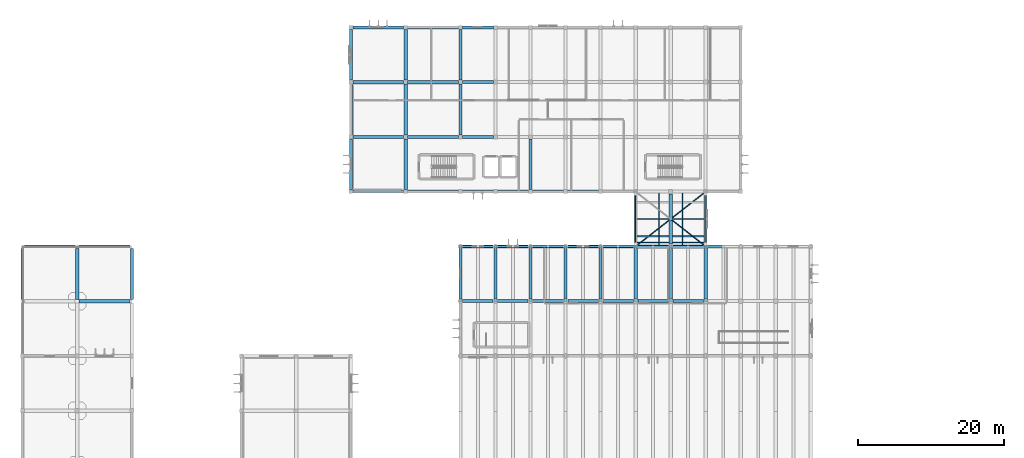
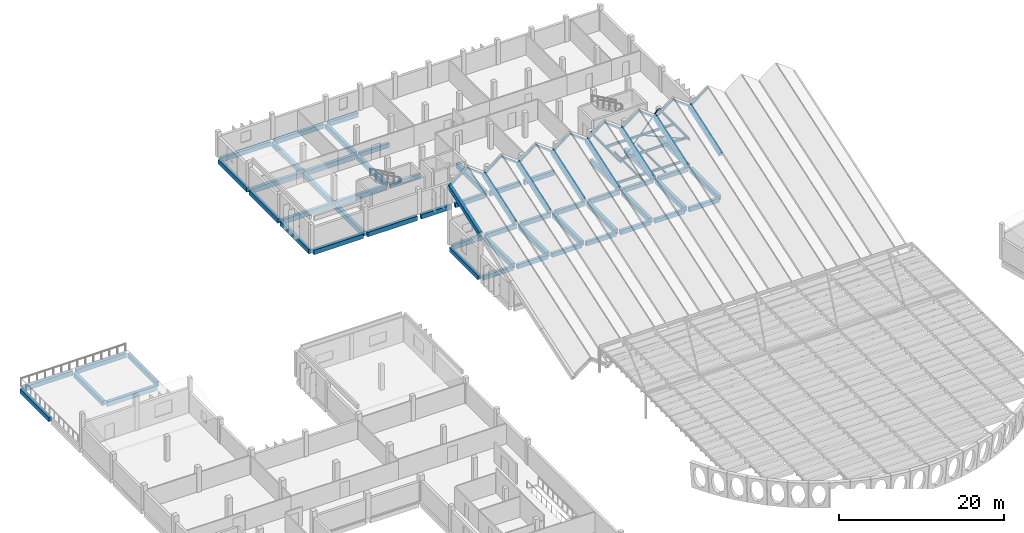
# One storey, part 17 of 47: 70 beams, 17 members.
"""IFC4 building model written with IfcOpenShell, lengths in metres."""

from ifc_helpers import new_model, si_unit, direction, frame, origin, origin_2d, place, context, subcontext, project, spatial, rectangle, hollow_rectangle, hollow_circle, i_section, extrude, material, material_profile, profile_set, type_object, element, save


model = new_model("IFC4")

# Units and contexts
model_context = context("Model", 3, precision=1e-05, world=origin(), true_north=direction((0.0, 1.0)))
body_context = subcontext(model_context, "Body", "Model", "MODEL_VIEW")
ifc_project = project(units=[si_unit("LENGTHUNIT", "METRE"), si_unit("AREAUNIT", "SQUARE_METRE"), si_unit("VOLUMEUNIT", "CUBIC_METRE"), si_unit("PLANEANGLEUNIT", "RADIAN"), si_unit("MASSUNIT", "GRAM", prefix="KILO")], contexts=[model_context])

# Site, building, storey
site_placement = place(None, origin())
site = spatial("IfcSite", under=ifc_project, at=site_placement, CompositionType="ELEMENT")
building_placement = place(site_placement, origin())
building = spatial("IfcBuilding", under=site, at=building_placement, Name="Mawjan Specialist Oncology Clinic", CompositionType="ELEMENT")
storey_placement = place(building_placement, frame((0.0, 0.0, 9.5)))
storey = spatial("IfcBuildingStorey", under=building, at=storey_placement, Name="L02", CompositionType="ELEMENT", Elevation=9.5)

# Beams
ifc_material_1 = material(Name="Concrete C40/50", Category="concrete")
ifc_material_profile_1 = material_profile(ifc_material_1, rectangle(XDim=0.39990234375, YDim=0.60009765625, at=origin_2d()), Name="RC BM 400x600", Category="concrete")
ifc_profile_set_1 = profile_set([ifc_material_profile_1], Name="Concrete C40/50")
beam_type_1 = type_object("IfcBeamType", Name="BM-400x600", PredefinedType="BEAM", material=ifc_profile_set_1)
for number, where, z_axis, x_axis, name in (
    (1, (60.31005859375, 68.300048828125, -0.60009765625), (1.0, 0.0, 0.0), (0.0, 1.0, 0.0), "L02 Collector Beam BM-L02-0687"),
    (2, (65.110107421875, 68.300048828125, -0.60009765625), (1.0, 0.0, 0.0), (0.0, 1.0, 0.0), "L02 Collector Beam BM-L02-0688"),
):
    element("IfcBeam", number, at=place(storey_placement, frame(where, z_axis=z_axis, x_axis=x_axis)), inside=storey, type_object=beam_type_1, Name=name, PredefinedType="BEAM", context=body_context, shape_type="SweptSolid", body=[
        extrude(rectangle(XDim=0.39990234375, YDim=0.60009765625, at=origin_2d()), origin(), (0.0, 0.0, 1.0), 4.179931640625),
    ])
beam_1_placement = place(storey_placement, frame((69.909912109375, 68.300048828125, -0.60009765625), z_axis=(1.0, 0.0, 0.0), x_axis=(0.0, 1.0, 0.0)))
element("IfcBeam", 3, at=beam_1_placement, inside=storey, type_object=beam_type_1, Name="L02 Collector Beam BM-L02-0689", PredefinedType="BEAM", context=body_context, shape_type="SweptSolid", body=[
    extrude(rectangle(XDim=0.39990234375, YDim=0.60009765625, at=origin_2d()), origin(), (0.0, 0.0, 1.0), 4.18017578125),
])
for number, where, z_axis, x_axis, name in (
    (4, (74.7099609375, 68.300048828125, -0.60009765625), (1.0, 0.0, 0.0), (0.0, 1.0, 0.0), "L02 Collector Beam BM-L02-0690"),
    (5, (79.510009765625, 68.300048828125, -0.60009765625), (1.0, 0.0, 0.0), (0.0, 1.0, 0.0), "L02 Collector Beam BM-L02-0691"),
    (6, (84.31005859375, 68.300048828125, -0.60009765625), (1.0, 0.0, 0.0), (0.0, 1.0, 0.0), "L02 Collector Beam BM-L02-0692"),
    (7, (89.110107421875, 68.300048828125, -0.60009765625), (1.0, 0.0, 0.0), (0.0, 1.0, 0.0), "L02 Collector Beam BM-L02-0693"),
    (8, (84.31005859375, 75.800048828125, -0.60009765625), (1.0, 0.0, 0.0), (0.0, 1.0, 0.0), "L02 Collector Beam BM-L02-0704"),
    (9, (89.110107421875, 75.800048828125, -0.60009765625), (1.0, 0.0, 0.0), (0.0, 1.0, 0.0), "L02 Collector Beam BM-L02-0705"),
):
    element("IfcBeam", number, at=place(storey_placement, frame(where, z_axis=z_axis, x_axis=x_axis)), inside=storey, type_object=beam_type_1, Name=name, PredefinedType="BEAM", context=body_context, shape_type="SweptSolid", body=[
        extrude(rectangle(XDim=0.39990234375, YDim=0.60009765625, at=origin_2d()), origin(), (0.0, 0.0, 1.0), 4.179931640625),
    ])
for number, where, z_axis, x_axis, name in (
    (10, (60.284912109375, 90.800048828125, -0.60009765625), (1.0, 0.0, 0.0), (0.0, 1.0, 0.0), "L02 Collector Beam BM-L02-0721"),
    (11, (60.284912109375, 98.300048828125, -0.60009765625), (1.0, 0.0, 0.0), (0.0, 1.0, 0.0), "L02 Collector Beam BM-L02-0731"),
):
    element("IfcBeam", number, at=place(storey_placement, frame(where, z_axis=z_axis, x_axis=x_axis)), inside=storey, type_object=beam_type_1, Name=name, PredefinedType="BEAM", context=body_context, shape_type="SweptSolid", body=[
        extrude(rectangle(XDim=0.39990234375, YDim=0.60009765625, at=origin_2d()), origin(), (0.0, 0.0, 1.0), 4.22998046875),
    ])
ifc_material_2 = material(Name="Concrete C40/50", Category="concrete")
ifc_material_profile_2 = material_profile(ifc_material_2, rectangle(XDim=0.449951171875, YDim=0.699951171875, at=origin_2d()), Name="RC BM 450x700", Category="concrete")
ifc_profile_set_2 = profile_set([ifc_material_profile_2], Name="Concrete C40/50")
beam_type_2 = type_object("IfcBeamType", Name="BM-450x700", PredefinedType="BEAM", material=ifc_profile_set_2)
beam_2_placement = place(storey_placement, frame((7.760009765625, 68.300048828125, -0.820068359375), z_axis=(1.0, 0.0, 0.0), x_axis=(0.0, 1.0, 0.0)))
element("IfcBeam", 12, at=beam_2_placement, inside=storey, type_object=beam_type_2, Name="L02 Collector Beam BM-L02-0686", PredefinedType="BEAM", context=body_context, shape_type="SweptSolid", body=[
    extrude(rectangle(XDim=0.449951171875, YDim=0.699951171875, at=origin_2d()), origin(), (0.0, 0.0, 1.0), 6.97998046875),
])
beam_3_placement = place(storey_placement, frame((45.260009765625, 90.800048828125, -0.64990234375), z_axis=(1.0, 0.0, 0.0), x_axis=(0.0, 1.0, 0.0)))
element("IfcBeam", 13, at=beam_3_placement, inside=storey, type_object=beam_type_2, Name="L02 Collector Beam BM-L02-0719", PredefinedType="BEAM", context=body_context, shape_type="SweptSolid", body=[
    extrude(rectangle(XDim=0.449951171875, YDim=0.699951171875, at=origin_2d()), origin(), (0.0, 0.0, 1.0), 6.955078125),
])
for number, where, z_axis, x_axis, name in (
    (14, (52.784912109375, 90.800048828125, -0.64990234375), (1.0, 0.0, 0.0), (0.0, 1.0, 0.0), "L02 Collector Beam BM-L02-0720"),
    (15, (45.284912109375, 98.300048828125, -0.64990234375), (1.0, 0.0, 0.0), (0.0, 1.0, 0.0), "L02 Collector Beam BM-L02-0729"),
    (16, (52.784912109375, 98.300048828125, -0.64990234375), (1.0, 0.0, 0.0), (0.0, 1.0, 0.0), "L02 Collector Beam BM-L02-0730"),
):
    element("IfcBeam", number, at=place(storey_placement, frame(where, z_axis=z_axis, x_axis=x_axis)), inside=storey, type_object=beam_type_2, Name=name, PredefinedType="BEAM", context=body_context, shape_type="SweptSolid", body=[
        extrude(rectangle(XDim=0.449951171875, YDim=0.699951171875, at=origin_2d()), origin(), (0.0, 0.0, 1.0), 6.93017578125),
    ])
beam_4_placement = place(storey_placement, frame((7.5, 68.56005859375, -0.820068359375), z_axis=(0.0, 1.0, 0.0), x_axis=(-1.0, 0.0, 0.0)))
element("IfcBeam", 17, at=beam_4_placement, inside=storey, type_object=beam_type_2, Name="L02 Collector Beam BM-L02-0767", PredefinedType="BEAM", context=body_context, shape_type="SweptSolid", body=[
    extrude(rectangle(XDim=0.449951171875, YDim=0.699951171875, at=origin_2d()), origin(), (0.0, 0.0, 1.0), 6.97998046875),
])
for number, where, z_axis, x_axis, name in (
    (18, (52.5, 83.5849609375, -0.64990234375), (0.0, 1.0, 0.0), (-1.0, 0.0, 0.0), "L02 Collector Beam BM-L02-0805"),
    (19, (52.5, 91.0849609375, -0.64990234375), (0.0, 1.0, 0.0), (-1.0, 0.0, 0.0), "L02 Collector Beam BM-L02-0806"),
    (20, (52.5, 98.5849609375, -0.64990234375), (0.0, 1.0, 0.0), (-1.0, 0.0, 0.0), "L02 Collector Beam BM-L02-0807"),
    (21, (60.0, 91.0849609375, -0.64990234375), (0.0, 1.0, 0.0), (-1.0, 0.0, 0.0), "L02 Collector Beam BM-L02-0810"),
    (22, (60.0, 98.5849609375, -0.64990234375), (0.0, 1.0, 0.0), (-1.0, 0.0, 0.0), "L02 Collector Beam BM-L02-0811"),
):
    element("IfcBeam", number, at=place(storey_placement, frame(where, z_axis=z_axis, x_axis=x_axis)), inside=storey, type_object=beam_type_2, Name=name, PredefinedType="BEAM", context=body_context, shape_type="SweptSolid", body=[
        extrude(rectangle(XDim=0.449951171875, YDim=0.699951171875, at=origin_2d()), origin(), (0.0, 0.0, 1.0), 6.929931640625),
    ])
for number, where, z_axis, x_axis, name in (
    (23, (64.800048828125, 68.610107421875, -0.64990234375), (0.0, 1.0, 0.0), (-1.0, 0.0, 0.0), "L02 Collector Beam BM-L02-0812"),
    (24, (69.60009765625, 68.610107421875, -0.64990234375), (0.0, 1.0, 0.0), (-1.0, 0.0, 0.0), "L02 Collector Beam BM-L02-0815"),
):
    element("IfcBeam", number, at=place(storey_placement, frame(where, z_axis=z_axis, x_axis=x_axis)), inside=storey, type_object=beam_type_2, Name=name, PredefinedType="BEAM", context=body_context, shape_type="SweptSolid", body=[
        extrude(rectangle(XDim=0.449951171875, YDim=0.699951171875, at=origin_2d()), origin(), (0.0, 0.0, 1.0), 6.8798828125),
    ])
beam_5_placement = place(storey_placement, frame((69.60009765625, 83.5849609375, -0.64990234375), z_axis=(0.0, 1.0, 0.0), x_axis=(-1.0, 0.0, 0.0)))
element("IfcBeam", 25, at=beam_5_placement, inside=storey, type_object=beam_type_2, Name="L02 Collector Beam BM-L02-0816", PredefinedType="BEAM", context=body_context, shape_type="SweptSolid", body=[
    extrude(rectangle(XDim=0.449951171875, YDim=0.699951171875, at=origin_2d()), origin(), (0.0, 0.0, 1.0), 6.929931640625),
])
for number, where, z_axis, x_axis, name in (
    (26, (74.39990234375, 68.610107421875, -0.64990234375), (0.0, 1.0, 0.0), (-1.0, 0.0, 0.0), "L02 Collector Beam BM-L02-0819"),
    (27, (79.199951171875, 68.610107421875, -0.64990234375), (0.0, 1.0, 0.0), (-1.0, 0.0, 0.0), "L02 Collector Beam BM-L02-0823"),
    (28, (84.0, 68.610107421875, -0.64990234375), (0.0, 1.0, 0.0), (-1.0, 0.0, 0.0), "L02 Collector Beam BM-L02-0827"),
    (29, (88.800048828125, 68.610107421875, -0.64990234375), (0.0, 1.0, 0.0), (-1.0, 0.0, 0.0), "L02 Collector Beam BM-L02-0833"),
):
    element("IfcBeam", number, at=place(storey_placement, frame(where, z_axis=z_axis, x_axis=x_axis)), inside=storey, type_object=beam_type_2, Name=name, PredefinedType="BEAM", context=body_context, shape_type="SweptSolid", body=[
        extrude(rectangle(XDim=0.449951171875, YDim=0.699951171875, at=origin_2d()), origin(), (0.0, 0.0, 1.0), 6.8798828125),
    ])
beam_6_placement = place(storey_placement, frame((88.800048828125, 76.110107421875, -0.64990234375), z_axis=(0.0, 1.0, 0.0), x_axis=(-1.0, 0.0, 0.0)))
element("IfcBeam", 30, at=beam_6_placement, inside=storey, type_object=beam_type_2, Name="L02 Collector Beam BM-L02-0834", PredefinedType="BEAM", context=body_context, shape_type="SweptSolid", body=[
    extrude(rectangle(XDim=0.449951171875, YDim=0.699951171875, at=origin_2d()), origin(), (0.0, 0.0, 1.0), 6.90478515625),
])
beam_7_placement = place(storey_placement, frame((93.60009765625, 68.610107421875, -0.64990234375), z_axis=(0.0, 1.0, 0.0), x_axis=(-1.0, 0.0, 0.0)))
element("IfcBeam", 31, at=beam_7_placement, inside=storey, type_object=beam_type_2, Name="L02 Collector Beam BM-L02-0838", PredefinedType="BEAM", context=body_context, shape_type="SweptSolid", body=[
    extrude(rectangle(XDim=0.449951171875, YDim=0.699951171875, at=origin_2d()), origin(), (0.0, 0.0, 1.0), 6.8798828125),
])

# Members
ifc_material_3 = material(Name="Structural steel S355", Category="steel")
ifc_material_profile_3 = material_profile(ifc_material_3, hollow_circle(Radius=0.084228515625, WallThickness=0.008056640625, at=origin_2d()), Name="CHS 168.3x8", Category="steel")
ifc_profile_set_3 = profile_set([ifc_material_profile_3], Name="Structural steel S355")
member_type_1 = type_object("IfcMemberType", Name="BR-168", PredefinedType="BRACE", material=ifc_profile_set_3)
member_1_placement = place(storey_placement, frame((84.0, 75.800048828125, 3.679931640625), z_axis=(0.788027411976, 0.615640152991, 0.0), x_axis=(-0.615640152991, 0.788027411976, 0.0)))
element("IfcMember", 32, at=member_1_placement, inside=storey, type_object=member_type_1, Name="Skybridge Lateral Diagonal Brace L02-1", PredefinedType="BRACE", context=body_context, shape_type="SweptSolid", body=[
    extrude(hollow_circle(Radius=0.084228515625, WallThickness=0.008056640625, at=origin_2d()), origin(), (0.0, 0.0, 1.0), 12.182373046875),
])
member_2_placement = place(storey_placement, frame((93.60009765625, 75.800048828125, 3.679931640625), z_axis=(-0.788036091947, 0.615629042354, 0.0), x_axis=(-0.615629042354, -0.788036091947, 0.0)))
element("IfcMember", 33, at=member_2_placement, inside=storey, type_object=member_type_1, Name="Skybridge Lateral Diagonal Brace L02-2A", PredefinedType="BRACE", context=body_context, shape_type="SweptSolid", body=[
    extrude(hollow_circle(Radius=0.084228515625, WallThickness=0.008056640625, at=origin_2d()), origin(), (0.0, 0.0, 1.0), 6.001220703125),
])

# Beams
ifc_material_4 = material(Name="Structural steel S355", Category="steel")
ifc_material_profile_4 = material_profile(ifc_material_4, i_section(OverallWidth=0.14990234375, OverallDepth=0.300048828125, WebThickness=0.007080078125, FlangeThickness=0.0107421875, FilletRadius=0.014892578125, at=origin_2d()), Name="IPE 300", Category="steel")
ifc_profile_set_4 = profile_set([ifc_material_profile_4], Name="Structural steel S355")
beam_type_3 = type_object("IfcBeamType", Name="JST-IPE300", PredefinedType="JOIST", material=ifc_profile_set_4)
for number, where, z_axis, x_axis, name in (
    (34, (87.199951171875, 76.0, -0.35009765625), (0.0, 1.0, 0.0), (-1.0, 0.0, 0.0), "L02 Secondary Floor Joist 3"),
    (35, (90.39990234375, 76.0, -0.35009765625), (0.0, 1.0, 0.0), (-1.0, 0.0, 0.0), "L02 Secondary Floor Joist 4"),
):
    element("IfcBeam", number, at=place(storey_placement, frame(where, z_axis=z_axis, x_axis=x_axis)), inside=storey, type_object=beam_type_3, Name=name, PredefinedType="JOIST", context=body_context, shape_type="SweptSolid", body=[
        extrude(i_section(OverallWidth=0.14990234375, OverallDepth=0.300048828125, WebThickness=0.007080078125, FlangeThickness=0.0107421875, FilletRadius=0.014892578125, at=origin_2d()), origin(), (0.0, 0.0, 1.0), 7.10009765625),
    ])
ifc_material_5 = material(Name="Structural steel S355", Category="steel")
ifc_material_profile_5 = material_profile(ifc_material_5, i_section(OverallWidth=0.169921875, OverallDepth=0.360107421875, WebThickness=0.008056640625, FlangeThickness=0.0126953125, FilletRadius=0.01806640625, at=origin_2d()), Name="IPE 360", Category="steel")
ifc_profile_set_5 = profile_set([ifc_material_profile_5], Name="Structural steel S355")
beam_type_4 = type_object("IfcBeamType", Name="SB-IPE360", PredefinedType="BEAM", material=ifc_profile_set_5)
beam_8_placement = place(storey_placement, frame((84.0, 77.199951171875, -0.3798828125), z_axis=(1.0, 0.0, 0.0), x_axis=(0.0, 1.0, 0.0)))
element("IfcBeam", 36, at=beam_8_placement, inside=storey, type_object=beam_type_4, Name="Skybridge L02 Transverse Girder S", PredefinedType="BEAM", context=body_context, shape_type="SweptSolid", body=[
    extrude(i_section(OverallWidth=0.169921875, OverallDepth=0.360107421875, WebThickness=0.008056640625, FlangeThickness=0.0126953125, FilletRadius=0.01806640625, at=origin_2d()), origin(), (0.0, 0.0, 1.0), 9.60009765625),
])
for number, where, z_axis, x_axis, name in (
    (37, (84.0, 75.800048828125, 3.6201171875), (0.0, 1.0, 0.0), (-1.0, 0.0, 0.0), "Skybridge Roof Edge Girder W"),
    (38, (93.60009765625, 75.800048828125, 3.6201171875), (0.0, 1.0, 0.0), (-1.0, 0.0, 0.0), "Skybridge Roof Edge Girder E"),
):
    element("IfcBeam", number, at=place(storey_placement, frame(where, z_axis=z_axis, x_axis=x_axis)), inside=storey, type_object=beam_type_4, Name=name, PredefinedType="BEAM", context=body_context, shape_type="SweptSolid", body=[
        extrude(i_section(OverallWidth=0.169921875, OverallDepth=0.360107421875, WebThickness=0.008056640625, FlangeThickness=0.0126953125, FilletRadius=0.01806640625, at=origin_2d()), origin(), (0.0, 0.0, 1.0), 7.320068359375),
    ])
for number, where, z_axis, x_axis, name in (
    (39, (84.0, 76.35009765625, 3.6201171875), (1.0, 0.0, 0.0), (0.0, 1.0, 0.0), "Skybridge Roof Transverse Girder S"),
    (40, (84.0, 79.550048828125, 3.6201171875), (1.0, 0.0, 0.0), (0.0, 1.0, 0.0), "Skybridge Roof Transverse Girder M"),
):
    element("IfcBeam", number, at=place(storey_placement, frame(where, z_axis=z_axis, x_axis=x_axis)), inside=storey, type_object=beam_type_4, Name=name, PredefinedType="BEAM", context=body_context, shape_type="SweptSolid", body=[
        extrude(i_section(OverallWidth=0.169921875, OverallDepth=0.360107421875, WebThickness=0.008056640625, FlangeThickness=0.0126953125, FilletRadius=0.01806640625, at=origin_2d()), origin(), (0.0, 0.0, 1.0), 9.60009765625),
    ])
ifc_material_6 = material(Name="Concrete C45/55", Category="concrete")
ifc_material_profile_6 = material_profile(ifc_material_6, rectangle(XDim=0.39990234375, YDim=0.64990234375, at=origin_2d()), Name="RC BM 400x650", Category="concrete")
ifc_profile_set_6 = profile_set([ifc_material_profile_6], Name="Concrete C45/55")
beam_type_5 = type_object("IfcBeamType", Name="SP-400x650", PredefinedType="SPANDREL", material=ifc_profile_set_6)
for number, where, z_axis, x_axis, name in (
    (41, (0.260009765625, 75.800048828125, -0.574951171875), (1.0, 0.0, 0.0), (0.0, 1.0, 0.0), "L02 Spandrel Beam BM-L02-0697"),
    (42, (7.760009765625, 75.800048828125, -0.574951171875), (1.0, 0.0, 0.0), (0.0, 1.0, 0.0), "L02 Spandrel Beam BM-L02-0698"),
):
    element("IfcBeam", number, at=place(storey_placement, frame(where, z_axis=z_axis, x_axis=x_axis)), inside=storey, type_object=beam_type_5, Name=name, PredefinedType="SPANDREL", context=body_context, shape_type="SweptSolid", body=[
        extrude(rectangle(XDim=0.39990234375, YDim=0.64990234375, at=origin_2d()), origin(), (0.0, 0.0, 1.0), 6.97998046875),
    ])
for number, where, z_axis, x_axis, name in (
    (43, (60.31005859375, 75.800048828125, -0.625), (1.0, 0.0, 0.0), (0.0, 1.0, 0.0), "L02 Spandrel Beam BM-L02-0699"),
    (44, (65.110107421875, 75.800048828125, -0.625), (1.0, 0.0, 0.0), (0.0, 1.0, 0.0), "L02 Spandrel Beam BM-L02-0700"),
):
    element("IfcBeam", number, at=place(storey_placement, frame(where, z_axis=z_axis, x_axis=x_axis)), inside=storey, type_object=beam_type_5, Name=name, PredefinedType="SPANDREL", context=body_context, shape_type="SweptSolid", body=[
        extrude(rectangle(XDim=0.39990234375, YDim=0.64990234375, at=origin_2d()), origin(), (0.0, 0.0, 1.0), 4.179931640625),
    ])
beam_9_placement = place(storey_placement, frame((69.909912109375, 75.800048828125, -0.625), z_axis=(1.0, 0.0, 0.0), x_axis=(0.0, 1.0, 0.0)))
element("IfcBeam", 45, at=beam_9_placement, inside=storey, type_object=beam_type_5, Name="L02 Spandrel Beam BM-L02-0701", PredefinedType="SPANDREL", context=body_context, shape_type="SweptSolid", body=[
    extrude(rectangle(XDim=0.39990234375, YDim=0.64990234375, at=origin_2d()), origin(), (0.0, 0.0, 1.0), 4.18017578125),
])
for number, where, z_axis, x_axis, name in (
    (46, (74.7099609375, 75.800048828125, -0.625), (1.0, 0.0, 0.0), (0.0, 1.0, 0.0), "L02 Spandrel Beam BM-L02-0702"),
    (47, (79.510009765625, 75.800048828125, -0.625), (1.0, 0.0, 0.0), (0.0, 1.0, 0.0), "L02 Spandrel Beam BM-L02-0703"),
):
    element("IfcBeam", number, at=place(storey_placement, frame(where, z_axis=z_axis, x_axis=x_axis)), inside=storey, type_object=beam_type_5, Name=name, PredefinedType="SPANDREL", context=body_context, shape_type="SweptSolid", body=[
        extrude(rectangle(XDim=0.39990234375, YDim=0.64990234375, at=origin_2d()), origin(), (0.0, 0.0, 1.0), 4.179931640625),
    ])
beam_10_placement = place(storey_placement, frame((45.260009765625, 83.300048828125, -0.625), z_axis=(1.0, 0.0, 0.0), x_axis=(0.0, 1.0, 0.0)))
element("IfcBeam", 48, at=beam_10_placement, inside=storey, type_object=beam_type_5, Name="L02 Spandrel Beam BM-L02-0709", PredefinedType="SPANDREL", context=body_context, shape_type="SweptSolid", body=[
    extrude(rectangle(XDim=0.39990234375, YDim=0.64990234375, at=origin_2d()), origin(), (0.0, 0.0, 1.0), 6.955078125),
])
beam_11_placement = place(storey_placement, frame((52.784912109375, 83.300048828125, -0.625), z_axis=(1.0, 0.0, 0.0), x_axis=(0.0, 1.0, 0.0)))
element("IfcBeam", 49, at=beam_11_placement, inside=storey, type_object=beam_type_5, Name="L02 Spandrel Beam BM-L02-0710", PredefinedType="SPANDREL", context=body_context, shape_type="SweptSolid", body=[
    extrude(rectangle(XDim=0.39990234375, YDim=0.64990234375, at=origin_2d()), origin(), (0.0, 0.0, 1.0), 6.93017578125),
])
for number, where, z_axis, x_axis, name in (
    (50, (60.284912109375, 83.300048828125, -0.625), (1.0, 0.0, 0.0), (0.0, 1.0, 0.0), "L02 Spandrel Beam BM-L02-0711"),
    (51, (65.0849609375, 83.300048828125, -0.625), (1.0, 0.0, 0.0), (0.0, 1.0, 0.0), "L02 Spandrel Beam BM-L02-0712"),
    (52, (69.885009765625, 83.300048828125, -0.625), (1.0, 0.0, 0.0), (0.0, 1.0, 0.0), "L02 Spandrel Beam BM-L02-0713"),
    (53, (74.68505859375, 83.300048828125, -0.625), (1.0, 0.0, 0.0), (0.0, 1.0, 0.0), "L02 Spandrel Beam BM-L02-0714"),
):
    element("IfcBeam", number, at=place(storey_placement, frame(where, z_axis=z_axis, x_axis=x_axis)), inside=storey, type_object=beam_type_5, Name=name, PredefinedType="SPANDREL", context=body_context, shape_type="SweptSolid", body=[
        extrude(rectangle(XDim=0.39990234375, YDim=0.64990234375, at=origin_2d()), origin(), (0.0, 0.0, 1.0), 4.22998046875),
    ])
for number, where, z_axis, x_axis, name in (
    (54, (45.284912109375, 105.800048828125, -0.625), (1.0, 0.0, 0.0), (0.0, 1.0, 0.0), "L02 Spandrel Beam BM-L02-0739"),
    (55, (52.784912109375, 105.800048828125, -0.625), (1.0, 0.0, 0.0), (0.0, 1.0, 0.0), "L02 Spandrel Beam BM-L02-0740"),
):
    element("IfcBeam", number, at=place(storey_placement, frame(where, z_axis=z_axis, x_axis=x_axis)), inside=storey, type_object=beam_type_5, Name=name, PredefinedType="SPANDREL", context=body_context, shape_type="SweptSolid", body=[
        extrude(rectangle(XDim=0.39990234375, YDim=0.64990234375, at=origin_2d()), origin(), (0.0, 0.0, 1.0), 6.93017578125),
    ])
beam_12_placement = place(storey_placement, frame((60.284912109375, 105.800048828125, -0.625), z_axis=(1.0, 0.0, 0.0), x_axis=(0.0, 1.0, 0.0)))
element("IfcBeam", 56, at=beam_12_placement, inside=storey, type_object=beam_type_5, Name="L02 Spandrel Beam BM-L02-0741", PredefinedType="SPANDREL", context=body_context, shape_type="SweptSolid", body=[
    extrude(rectangle(XDim=0.39990234375, YDim=0.64990234375, at=origin_2d()), origin(), (0.0, 0.0, 1.0), 4.22998046875),
])
for number, where, z_axis, x_axis, name in (
    (57, (0.0, 68.56005859375, -0.574951171875), (0.0, 1.0, 0.0), (-1.0, 0.0, 0.0), "L02 Spandrel Beam BM-L02-0758"),
    (58, (15.0, 68.56005859375, -0.574951171875), (0.0, 1.0, 0.0), (-1.0, 0.0, 0.0), "L02 Spandrel Beam BM-L02-0776"),
    (59, (45.0, 83.56005859375, -0.625), (0.0, 1.0, 0.0), (-1.0, 0.0, 0.0), "L02 Spandrel Beam BM-L02-0802"),
):
    element("IfcBeam", number, at=place(storey_placement, frame(where, z_axis=z_axis, x_axis=x_axis)), inside=storey, type_object=beam_type_5, Name=name, PredefinedType="SPANDREL", context=body_context, shape_type="SweptSolid", body=[
        extrude(rectangle(XDim=0.39990234375, YDim=0.64990234375, at=origin_2d()), origin(), (0.0, 0.0, 1.0), 6.97998046875),
    ])
beam_13_placement = place(storey_placement, frame((45.0, 91.06005859375, -0.625), z_axis=(0.0, 1.0, 0.0), x_axis=(-1.0, 0.0, 0.0)))
element("IfcBeam", 60, at=beam_13_placement, inside=storey, type_object=beam_type_5, Name="L02 Spandrel Beam BM-L02-0803", PredefinedType="SPANDREL", context=body_context, shape_type="SweptSolid", body=[
    extrude(rectangle(XDim=0.39990234375, YDim=0.64990234375, at=origin_2d()), origin(), (0.0, 0.0, 1.0), 6.954833984375),
])
beam_14_placement = place(storey_placement, frame((45.0, 98.5849609375, -0.625), z_axis=(0.0, 1.0, 0.0), x_axis=(-1.0, 0.0, 0.0)))
element("IfcBeam", 61, at=beam_14_placement, inside=storey, type_object=beam_type_5, Name="L02 Spandrel Beam BM-L02-0804", PredefinedType="SPANDREL", context=body_context, shape_type="SweptSolid", body=[
    extrude(rectangle(XDim=0.39990234375, YDim=0.64990234375, at=origin_2d()), origin(), (0.0, 0.0, 1.0), 6.929931640625),
])
beam_15_placement = place(storey_placement, frame((60.0, 68.610107421875, -0.625), z_axis=(0.0, 1.0, 0.0), x_axis=(-1.0, 0.0, 0.0)))
element("IfcBeam", 62, at=beam_15_placement, inside=storey, type_object=beam_type_5, Name="L02 Spandrel Beam BM-L02-0809", PredefinedType="SPANDREL", context=body_context, shape_type="SweptSolid", body=[
    extrude(rectangle(XDim=0.39990234375, YDim=0.64990234375, at=origin_2d()), origin(), (0.0, 0.0, 1.0), 6.8798828125),
])
for number, where, z_axis, x_axis, name in (
    (63, (84.0, 76.110107421875, -0.52490234375), (0.0, 1.0, 0.0), (-1.0, 0.0, 0.0), "L02 Spandrel Beam BM-L02-0828"),
    (64, (93.60009765625, 76.110107421875, -0.52490234375), (0.0, 1.0, 0.0), (-1.0, 0.0, 0.0), "L02 Spandrel Beam BM-L02-0839"),
):
    element("IfcBeam", number, at=place(storey_placement, frame(where, z_axis=z_axis, x_axis=x_axis)), inside=storey, type_object=beam_type_5, Name=name, PredefinedType="SPANDREL", context=body_context, shape_type="SweptSolid", body=[
        extrude(rectangle(XDim=0.39990234375, YDim=0.64990234375, at=origin_2d()), origin(), (0.0, 0.0, 1.0), 6.90478515625),
    ])

# Members
ifc_material_7 = material(Name="Structural steel S355", Category="steel")
ifc_material_profile_7 = material_profile(ifc_material_7, hollow_rectangle(XDim=0.25, YDim=0.25, WallThickness=0.011962890625, at=origin_2d()), Name="SHS 250x250x12", Category="steel")
ifc_profile_set_7 = profile_set([ifc_material_profile_7], Name="Structural steel S355")
member_type_2 = type_object("IfcMemberType", Name="ST-SHS250", PredefinedType="STRUT", material=ifc_profile_set_7)
member_3_placement = place(storey_placement, frame((60.0, 75.800048828125, 8.5400390625), z_axis=(0.793619355454, 0.0, 0.608414594375), x_axis=(0.0, 1.0, 0.0)))
element("IfcMember", 65, at=member_3_placement, inside=storey, type_object=member_type_2, Name="Folded-Plate N Gable Strut 1A", PredefinedType="STRUT", context=body_context, shape_type="SweptSolid", body=[
    extrude(hollow_rectangle(XDim=0.25, YDim=0.25, WallThickness=0.011962890625, at=origin_2d()), origin(), (0.0, 0.0, 1.0), 3.02392578125),
])
member_4_placement = place(storey_placement, frame((64.800048828125, 75.800048828125, 8.5400390625), z_axis=(-0.793649237907, 0.0, 0.608375613556), x_axis=(0.0, -1.0, 0.0)))
element("IfcMember", 66, at=member_4_placement, inside=storey, type_object=member_type_2, Name="Folded-Plate N Gable Strut 1B", PredefinedType="STRUT", context=body_context, shape_type="SweptSolid", body=[
    extrude(hollow_rectangle(XDim=0.25, YDim=0.25, WallThickness=0.011962890625, at=origin_2d()), origin(), (0.0, 0.0, 1.0), 3.024169921875),
])
member_5_placement = place(storey_placement, frame((64.800048828125, 75.800048828125, 8.5400390625), z_axis=(0.793619355454, 0.0, 0.608414594375), x_axis=(0.0, 1.0, 0.0)))
element("IfcMember", 67, at=member_5_placement, inside=storey, type_object=member_type_2, Name="Folded-Plate N Gable Strut 2A", PredefinedType="STRUT", context=body_context, shape_type="SweptSolid", body=[
    extrude(hollow_rectangle(XDim=0.25, YDim=0.25, WallThickness=0.011962890625, at=origin_2d()), origin(), (0.0, 0.0, 1.0), 3.02392578125),
])
member_6_placement = place(storey_placement, frame((69.60009765625, 75.800048828125, 8.5400390625), z_axis=(-0.793649237907, 0.0, 0.608375613556), x_axis=(0.0, -1.0, 0.0)))
element("IfcMember", 68, at=member_6_placement, inside=storey, type_object=member_type_2, Name="Folded-Plate N Gable Strut 2B", PredefinedType="STRUT", context=body_context, shape_type="SweptSolid", body=[
    extrude(hollow_rectangle(XDim=0.25, YDim=0.25, WallThickness=0.011962890625, at=origin_2d()), origin(), (0.0, 0.0, 1.0), 3.024169921875),
])
for number, where, z_axis, x_axis, name in (
    (69, (69.60009765625, 75.800048828125, 8.5400390625), (0.793619355454, 0.0, 0.608414594375), (0.0, 1.0, 0.0), "Folded-Plate N Gable Strut 3A"),
    (70, (74.39990234375, 75.800048828125, 8.5400390625), (-0.793619355454, 0.0, 0.608414594375), (0.0, -1.0, 0.0), "Folded-Plate N Gable Strut 3B"),
):
    element("IfcMember", number, at=place(storey_placement, frame(where, z_axis=z_axis, x_axis=x_axis)), inside=storey, type_object=member_type_2, Name=name, PredefinedType="STRUT", context=body_context, shape_type="SweptSolid", body=[
        extrude(hollow_rectangle(XDim=0.25, YDim=0.25, WallThickness=0.011962890625, at=origin_2d()), origin(), (0.0, 0.0, 1.0), 3.02392578125),
    ])
member_7_placement = place(storey_placement, frame((74.39990234375, 75.800048828125, 8.5400390625), z_axis=(0.793649237907, 0.0, 0.608375613556), x_axis=(0.0, 1.0, 0.0)))
element("IfcMember", 71, at=member_7_placement, inside=storey, type_object=member_type_2, Name="Folded-Plate N Gable Strut 4A", PredefinedType="STRUT", context=body_context, shape_type="SweptSolid", body=[
    extrude(hollow_rectangle(XDim=0.25, YDim=0.25, WallThickness=0.011962890625, at=origin_2d()), origin(), (0.0, 0.0, 1.0), 3.024169921875),
])
member_8_placement = place(storey_placement, frame((79.199951171875, 75.800048828125, 8.5400390625), z_axis=(-0.793619355454, 0.0, 0.608414594375), x_axis=(0.0, -1.0, 0.0)))
element("IfcMember", 72, at=member_8_placement, inside=storey, type_object=member_type_2, Name="Folded-Plate N Gable Strut 4B", PredefinedType="STRUT", context=body_context, shape_type="SweptSolid", body=[
    extrude(hollow_rectangle(XDim=0.25, YDim=0.25, WallThickness=0.011962890625, at=origin_2d()), origin(), (0.0, 0.0, 1.0), 3.02392578125),
])
member_9_placement = place(storey_placement, frame((79.199951171875, 75.800048828125, 8.5400390625), z_axis=(0.793649237907, 0.0, 0.608375613556), x_axis=(0.0, 1.0, 0.0)))
element("IfcMember", 73, at=member_9_placement, inside=storey, type_object=member_type_2, Name="Folded-Plate N Gable Strut 5A", PredefinedType="STRUT", context=body_context, shape_type="SweptSolid", body=[
    extrude(hollow_rectangle(XDim=0.25, YDim=0.25, WallThickness=0.011962890625, at=origin_2d()), origin(), (0.0, 0.0, 1.0), 3.024169921875),
])
for number, where, z_axis, x_axis, name in (
    (74, (84.0, 75.800048828125, 8.5400390625), (-0.793619355454, 0.0, 0.608414594375), (0.0, -1.0, 0.0), "Folded-Plate N Gable Strut 5B"),
    (75, (84.0, 75.800048828125, 8.5400390625), (0.793619355454, 0.0, 0.608414594375), (0.0, 1.0, 0.0), "Folded-Plate N Gable Strut 6A"),
):
    element("IfcMember", number, at=place(storey_placement, frame(where, z_axis=z_axis, x_axis=x_axis)), inside=storey, type_object=member_type_2, Name=name, PredefinedType="STRUT", context=body_context, shape_type="SweptSolid", body=[
        extrude(hollow_rectangle(XDim=0.25, YDim=0.25, WallThickness=0.011962890625, at=origin_2d()), origin(), (0.0, 0.0, 1.0), 3.02392578125),
    ])
member_10_placement = place(storey_placement, frame((88.800048828125, 75.800048828125, 8.5400390625), z_axis=(-0.793649237907, 0.0, 0.608375613556), x_axis=(0.0, -1.0, 0.0)))
element("IfcMember", 76, at=member_10_placement, inside=storey, type_object=member_type_2, Name="Folded-Plate N Gable Strut 6B", PredefinedType="STRUT", context=body_context, shape_type="SweptSolid", body=[
    extrude(hollow_rectangle(XDim=0.25, YDim=0.25, WallThickness=0.011962890625, at=origin_2d()), origin(), (0.0, 0.0, 1.0), 3.024169921875),
])
member_11_placement = place(storey_placement, frame((88.800048828125, 75.800048828125, 8.5400390625), z_axis=(0.793619355454, 0.0, 0.608414594375), x_axis=(0.0, 1.0, 0.0)))
element("IfcMember", 77, at=member_11_placement, inside=storey, type_object=member_type_2, Name="Folded-Plate N Gable Strut 7A", PredefinedType="STRUT", context=body_context, shape_type="SweptSolid", body=[
    extrude(hollow_rectangle(XDim=0.25, YDim=0.25, WallThickness=0.011962890625, at=origin_2d()), origin(), (0.0, 0.0, 1.0), 3.02392578125),
])
member_12_placement = place(storey_placement, frame((93.60009765625, 75.800048828125, 8.5400390625), z_axis=(-0.793649237907, 0.0, 0.608375613556), x_axis=(0.0, -1.0, 0.0)))
element("IfcMember", 78, at=member_12_placement, inside=storey, type_object=member_type_2, Name="Folded-Plate N Gable Strut 7B", PredefinedType="STRUT", context=body_context, shape_type="SweptSolid", body=[
    extrude(hollow_rectangle(XDim=0.25, YDim=0.25, WallThickness=0.011962890625, at=origin_2d()), origin(), (0.0, 0.0, 1.0), 3.024169921875),
])
member_13_placement = place(storey_placement, frame((93.60009765625, 75.800048828125, 8.5400390625), z_axis=(0.793619355454, 0.0, 0.608414594375), x_axis=(0.0, 1.0, 0.0)))
element("IfcMember", 79, at=member_13_placement, inside=storey, type_object=member_type_2, Name="Folded-Plate N Gable Strut 8A", PredefinedType="STRUT", context=body_context, shape_type="SweptSolid", body=[
    extrude(hollow_rectangle(XDim=0.25, YDim=0.25, WallThickness=0.011962890625, at=origin_2d()), origin(), (0.0, 0.0, 1.0), 3.02392578125),
])

# Beams
ifc_material_8 = material(Name="Concrete C45/55", Category="concrete")
ifc_material_profile_8 = material_profile(ifc_material_8, rectangle(XDim=0.449951171875, YDim=0.64990234375, at=origin_2d()), Name="RC VALLEY 450x650", Category="concrete")
ifc_profile_set_8 = profile_set([ifc_material_profile_8], Name="Concrete C45/55")
beam_type_6 = type_object("IfcBeamType", Name="VB-FP", PredefinedType="BEAM", material=ifc_profile_set_8)
for number, where, z_axis, x_axis, name in (
    (80, (60.0, 68.300048828125, 5.989990234375), (0.0, 0.946770866248, 0.321908258397), (-1.0, 0.0, 0.0), "Folded-Plate Roof Valley Chord VB-01-4"),
    (81, (64.800048828125, 68.300048828125, 5.989990234375), (0.0, 0.946770866248, 0.321908258397), (-1.0, 0.0, 0.0), "Folded-Plate Roof Valley Chord VB-02-4"),
    (82, (69.60009765625, 68.300048828125, 5.989990234375), (0.0, 0.946770866248, 0.321908258397), (-1.0, 0.0, 0.0), "Folded-Plate Roof Valley Chord VB-03-4"),
    (83, (74.39990234375, 68.300048828125, 5.989990234375), (0.0, 0.946770866248, 0.321908258397), (-1.0, 0.0, 0.0), "Folded-Plate Roof Valley Chord VB-04-4"),
    (84, (79.199951171875, 68.300048828125, 5.989990234375), (0.0, 0.946770866248, 0.321908258397), (-1.0, 0.0, 0.0), "Folded-Plate Roof Valley Chord VB-05-4"),
    (85, (84.0, 68.300048828125, 5.989990234375), (0.0, 0.946770866248, 0.321908258397), (-1.0, 0.0, 0.0), "Folded-Plate Roof Valley Chord VB-06-4"),
    (86, (88.800048828125, 68.300048828125, 5.989990234375), (0.0, 0.946770866248, 0.321908258397), (-1.0, 0.0, 0.0), "Folded-Plate Roof Valley Chord VB-07-4"),
    (87, (93.60009765625, 68.300048828125, 5.989990234375), (0.0, 0.946770866248, 0.321908258397), (-1.0, 0.0, 0.0), "Folded-Plate Roof Valley Chord VB-08-4"),
):
    element("IfcBeam", number, at=place(storey_placement, frame(where, z_axis=z_axis, x_axis=x_axis)), inside=storey, type_object=beam_type_6, Name=name, PredefinedType="BEAM", context=body_context, shape_type="SweptSolid", body=[
        extrude(rectangle(XDim=0.449951171875, YDim=0.64990234375, at=origin_2d()), origin(), (0.0, 0.0, 1.0), 7.921630859375),
    ])

save(model, "model.ifc")
